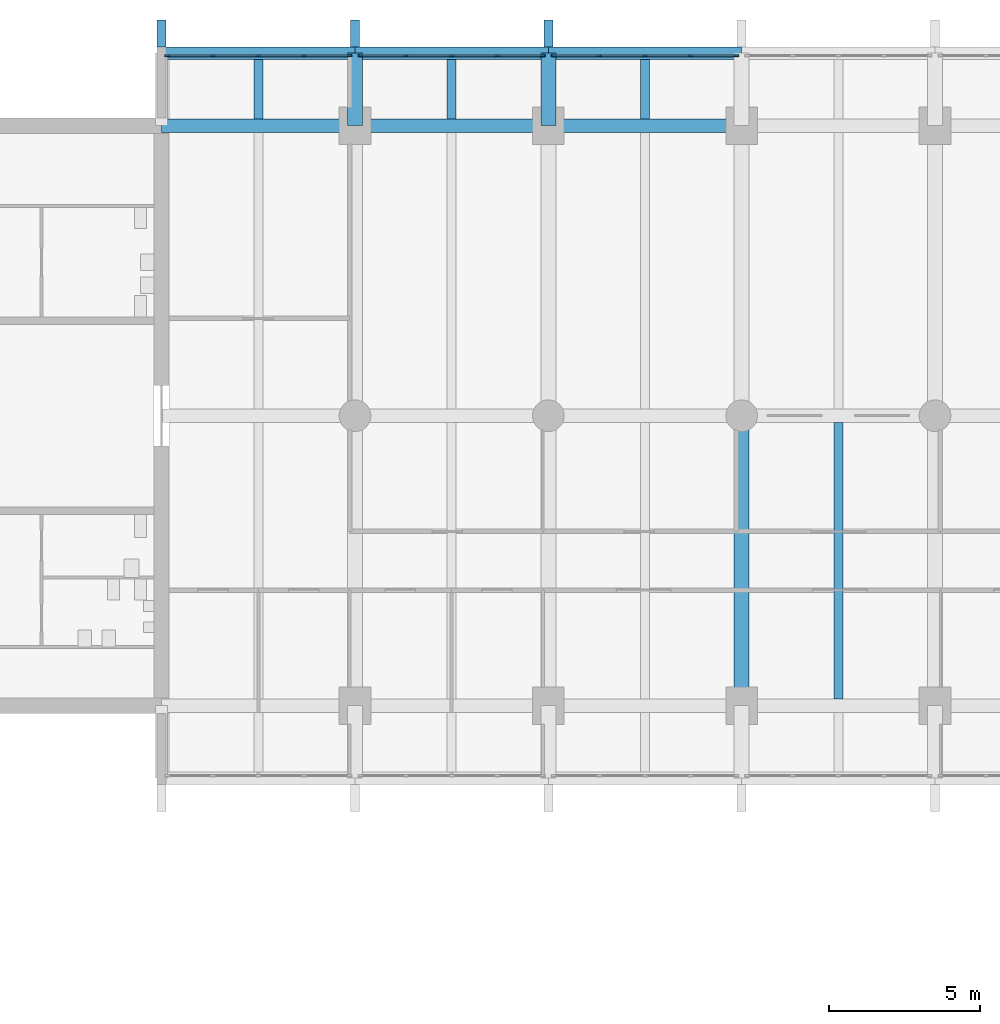
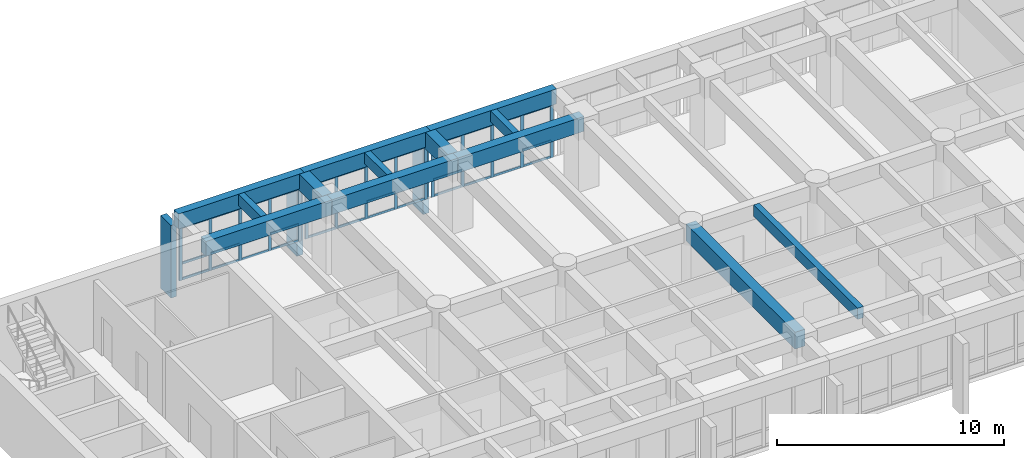
# One storey, part 5 of 19: 54 members, 13 beams, 3 elements without a shape of their own.
"""IFC4 building model written with IfcOpenShell, lengths in metres."""

from ifc_helpers import new_model, si_unit, direction, frame, origin, origin_2d, place, context, subcontext, project, spatial, rectangle, extrude, material, layer, layer_set, material_profile, profile_set, type_object, element, aggregate, save


model = new_model("IFC4")

# Units and contexts
model_context = context("Model", 3, precision=1e-05, world=origin(), true_north=direction((0.0, 1.0)))
body_context = subcontext(model_context, "Body", "Model", "MODEL_VIEW")
ifc_project = project(units=[si_unit("LENGTHUNIT", "METRE"), si_unit("AREAUNIT", "SQUARE_METRE"), si_unit("VOLUMEUNIT", "CUBIC_METRE"), si_unit("PLANEANGLEUNIT", "RADIAN"), si_unit("MASSUNIT", "GRAM", prefix="KILO")], contexts=[model_context])

# Site, building, storey
site_placement = place(None, origin())
site = spatial("IfcSite", under=ifc_project, at=site_placement, CompositionType="ELEMENT")
building_placement = place(site_placement, origin())
building = spatial("IfcBuilding", under=site, at=building_placement, Name="Fogon Plaza Fire Station and Headquarters Tower", CompositionType="ELEMENT")
storey_placement = place(building_placement, frame((0.0, 0.0, 24.89990234375)))
storey = spatial("IfcBuildingStorey", under=building, at=storey_placement, Name="L06", CompositionType="ELEMENT", Elevation=24.89990234375)

# Beams
ifc_material_1 = material(Name="Concrete C40", Category="concrete")
ifc_material_profile_1 = material_profile(ifc_material_1, rectangle(XDim=0.39990234375, YDim=0.800048828125, at=origin_2d()), Name="RC 400x800")
ifc_profile_set_1 = profile_set([ifc_material_profile_1], Name="Concrete C40")
beam_type_1 = type_object("IfcBeamType", Name="BEAM RC 400x800", PredefinedType="BEAM", material=ifc_profile_set_1)
for number, where, z_axis, x_axis, name in (
    (1, (25.60009765625, 55.199951171875, 3.280029296875), (1.0, 0.0, 0.0), (0.0, 1.0, 0.0), "beam-L06-045"),
    (2, (32.0, 55.199951171875, 3.280029296875), (1.0, 0.0, 0.0), (0.0, 1.0, 0.0), "beam-L06-046"),
):
    element("IfcBeam", number, at=place(storey_placement, frame(where, z_axis=z_axis, x_axis=x_axis)), inside=storey, type_object=beam_type_1, Name=name, PredefinedType="BEAM", context=body_context, shape_type="SweptSolid", body=[
        extrude(rectangle(XDim=0.39990234375, YDim=0.800048828125, at=origin_2d()), origin(), (0.0, 0.0, 1.0), 6.39990234375),
    ])
beam_1_placement = place(storey_placement, frame((38.39990234375, 55.199951171875, 3.280029296875), z_axis=(1.0, 0.0, 0.0), x_axis=(0.0, 1.0, 0.0)))
element("IfcBeam", 3, at=beam_1_placement, inside=storey, type_object=beam_type_1, Name="beam-L06-047", PredefinedType="BEAM", context=body_context, shape_type="SweptSolid", body=[
    extrude(rectangle(XDim=0.39990234375, YDim=0.800048828125, at=origin_2d()), origin(), (0.0, 0.0, 1.0), 6.400146484375),
])
ifc_material_2 = material(Name="Concrete C40", Category="concrete")
ifc_material_profile_2 = material_profile(ifc_material_2, rectangle(XDim=0.449951171875, YDim=0.800048828125, at=origin_2d()), Name="RC 450x800")
ifc_profile_set_2 = profile_set([ifc_material_profile_2], Name="Concrete C40")
beam_type_2 = type_object("IfcBeamType", Name="BEAM RC 450x800", PredefinedType="BEAM", material=ifc_profile_set_2)
for number, where, z_axis, x_axis, name in (
    (4, (25.60009765625, 52.800048828125, 3.280029296875), (1.0, 0.0, 0.0), (0.0, 1.0, 0.0), "beam-L06-033"),
    (5, (32.0, 52.800048828125, 3.280029296875), (1.0, 0.0, 0.0), (0.0, 1.0, 0.0), "beam-L06-034"),
):
    element("IfcBeam", number, at=place(storey_placement, frame(where, z_axis=z_axis, x_axis=x_axis)), inside=storey, type_object=beam_type_2, Name=name, PredefinedType="BEAM", context=body_context, shape_type="SweptSolid", body=[
        extrude(rectangle(XDim=0.449951171875, YDim=0.800048828125, at=origin_2d()), origin(), (0.0, 0.0, 1.0), 6.39990234375),
    ])
beam_2_placement = place(storey_placement, frame((38.39990234375, 52.800048828125, 3.280029296875), z_axis=(1.0, 0.0, 0.0), x_axis=(0.0, 1.0, 0.0)))
element("IfcBeam", 6, at=beam_2_placement, inside=storey, type_object=beam_type_2, Name="beam-L06-035", PredefinedType="BEAM", context=body_context, shape_type="SweptSolid", body=[
    extrude(rectangle(XDim=0.449951171875, YDim=0.800048828125, at=origin_2d()), origin(), (0.0, 0.0, 1.0), 6.400146484375),
])
ifc_material_3 = material(Name="Concrete C40", Category="concrete")
ifc_material_profile_3 = material_profile(ifc_material_3, rectangle(XDim=0.5, YDim=0.89990234375, at=origin_2d()), Name="RC 500x900")
ifc_profile_set_3 = profile_set([ifc_material_profile_3], Name="Concrete C40")
beam_type_3 = type_object("IfcBeamType", Name="BEAM RC 500x900 SPAN 0.0 TO 3.0 M", PredefinedType="BEAM", material=ifc_profile_set_3)
for number, where, z_axis, x_axis, name in (
    (7, (32.0, 52.800048828125, 3.22998046875), (0.0, 1.0, 0.0), (-1.0, 0.0, 0.0), "beam-L06-004"),
    (8, (38.39990234375, 52.800048828125, 3.22998046875), (0.0, 1.0, 0.0), (-1.0, 0.0, 0.0), "beam-L06-008"),
):
    element("IfcBeam", number, at=place(storey_placement, frame(where, z_axis=z_axis, x_axis=x_axis)), inside=storey, type_object=beam_type_3, Name=name, PredefinedType="BEAM", context=body_context, shape_type="SweptSolid", body=[
        extrude(rectangle(XDim=0.5, YDim=0.89990234375, at=origin_2d()), origin(), (0.0, 0.0, 1.0), 2.39990234375),
    ])
ifc_material_4 = material(Name="Concrete C40", Category="concrete")
ifc_material_profile_4 = material_profile(ifc_material_4, rectangle(XDim=0.5, YDim=0.89990234375, at=origin_2d()), Name="RC 500x900")
ifc_profile_set_4 = profile_set([ifc_material_profile_4], Name="Concrete C40")
beam_type_4 = type_object("IfcBeamType", Name="BEAM RC 500x900 SPAN 7.7 TO 12.3 M", PredefinedType="BEAM", material=ifc_profile_set_4)
beam_3_placement = place(storey_placement, frame((44.800048828125, 33.60009765625, 3.22998046875), z_axis=(0.0, 1.0, 0.0), x_axis=(-1.0, 0.0, 0.0)))
element("IfcBeam", 9, at=beam_3_placement, inside=storey, type_object=beam_type_4, Name="beam-L06-010", PredefinedType="BEAM", context=body_context, shape_type="SweptSolid", body=[
    extrude(rectangle(XDim=0.5, YDim=0.89990234375, at=origin_2d()), origin(), (0.0, 0.0, 1.0), 9.599853515625),
])

# Curtain wall, members
ifc_material_5 = material(Name="Aluminium and glass", Category="aluminium")
ifc_layer = layer(ifc_material_5, 0.14990234375)
ifc_layer_set = layer_set([ifc_layer], Name="Aluminium and glass")
curtain_wall_type = type_object("IfcCurtainWallType", Name="Unitised Curtain Wall Run 6100x2880", PredefinedType="NOTDEFINED", material=ifc_layer_set)
curtain_wall_1_placement = place(storey_placement, origin())
curtain_wall_1 = element("IfcCurtainWall", 10, at=curtain_wall_1_placement, inside=storey, type_object=curtain_wall_type, Name="CW-6100x2880 N1 L06", PredefinedType="NOTDEFINED")
ifc_material_6 = material(Name="Aluminium", Category="aluminium")
ifc_material_profile_5 = material_profile(ifc_material_6, rectangle(XDim=0.06005859375, YDim=0.159912109375, at=origin_2d()), Name="Curtain Wall Mullion 60x160")
ifc_profile_set_5 = profile_set([ifc_material_profile_5], Name="Aluminium")
member_type_1 = type_object("IfcMemberType", Name="Curtain Wall Mullion 60x160", PredefinedType="MULLION", material=ifc_profile_set_5)
member_1_placement = place(storey_placement, frame((25.780029296875, 55.1201171875, 0.0), z_axis=(0.0, 0.0, 1.0), x_axis=(0.0, 1.0, 0.0)))
member_1 = element("IfcMember", 11, at=member_1_placement, type_object=member_type_1, Name="CW-6100x2880 mullion 1", PredefinedType="MULLION", context=body_context, shape_type="SweptSolid", body=[
    extrude(rectangle(XDim=0.06005859375, YDim=0.159912109375, at=origin_2d()), origin(), (0.0, 0.0, 1.0), 2.880126953125),
])
member_2_placement = place(storey_placement, frame((27.2900390625, 55.1201171875, 0.0), z_axis=(0.0, 0.0, 1.0), x_axis=(0.0, 1.0, 0.0)))
member_2 = element("IfcMember", 12, at=member_2_placement, type_object=member_type_1, Name="CW-6100x2880 mullion 2", PredefinedType="MULLION", context=body_context, shape_type="SweptSolid", body=[
    extrude(rectangle(XDim=0.06005859375, YDim=0.159912109375, at=origin_2d()), origin(), (0.0, 0.0, 1.0), 2.880126953125),
])
member_3_placement = place(storey_placement, frame((28.800048828125, 55.1201171875, 0.0), z_axis=(0.0, 0.0, 1.0), x_axis=(0.0, 1.0, 0.0)))
member_3 = element("IfcMember", 13, at=member_3_placement, type_object=member_type_1, Name="CW-6100x2880 mullion 3", PredefinedType="MULLION", context=body_context, shape_type="SweptSolid", body=[
    extrude(rectangle(XDim=0.06005859375, YDim=0.159912109375, at=origin_2d()), origin(), (0.0, 0.0, 1.0), 2.880126953125),
])
member_4_placement = place(storey_placement, frame((30.31005859375, 55.1201171875, 0.0), z_axis=(0.0, 0.0, 1.0), x_axis=(0.0, 1.0, 0.0)))
member_4 = element("IfcMember", 14, at=member_4_placement, type_object=member_type_1, Name="CW-6100x2880 mullion 4", PredefinedType="MULLION", context=body_context, shape_type="SweptSolid", body=[
    extrude(rectangle(XDim=0.06005859375, YDim=0.159912109375, at=origin_2d()), origin(), (0.0, 0.0, 1.0), 2.880126953125),
])
member_5_placement = place(storey_placement, frame((31.820068359375, 55.1201171875, 0.0), z_axis=(0.0, 0.0, 1.0), x_axis=(0.0, 1.0, 0.0)))
member_5 = element("IfcMember", 15, at=member_5_placement, type_object=member_type_1, Name="CW-6100x2880 mullion 5", PredefinedType="MULLION", context=body_context, shape_type="SweptSolid", body=[
    extrude(rectangle(XDim=0.06005859375, YDim=0.159912109375, at=origin_2d()), origin(), (0.0, 0.0, 1.0), 2.880126953125),
])

curtain_wall_2_placement = place(storey_placement, origin())
curtain_wall_2 = element("IfcCurtainWall", 16, at=curtain_wall_2_placement, inside=storey, type_object=curtain_wall_type, Name="CW-6100x2880 N2 L06", PredefinedType="NOTDEFINED")
member_6_placement = place(storey_placement, frame((32.179931640625, 55.1201171875, 0.0), z_axis=(0.0, 0.0, 1.0), x_axis=(0.0, 1.0, 0.0)))
member_6 = element("IfcMember", 17, at=member_6_placement, type_object=member_type_1, Name="CW-6100x2880 mullion 1", PredefinedType="MULLION", context=body_context, shape_type="SweptSolid", body=[
    extrude(rectangle(XDim=0.06005859375, YDim=0.159912109375, at=origin_2d()), origin(), (0.0, 0.0, 1.0), 2.880126953125),
])
member_7_placement = place(storey_placement, frame((33.68994140625, 55.1201171875, 0.0), z_axis=(0.0, 0.0, 1.0), x_axis=(0.0, 1.0, 0.0)))
member_7 = element("IfcMember", 18, at=member_7_placement, type_object=member_type_1, Name="CW-6100x2880 mullion 2", PredefinedType="MULLION", context=body_context, shape_type="SweptSolid", body=[
    extrude(rectangle(XDim=0.06005859375, YDim=0.159912109375, at=origin_2d()), origin(), (0.0, 0.0, 1.0), 2.880126953125),
])
member_8_placement = place(storey_placement, frame((35.199951171875, 55.1201171875, 0.0), z_axis=(0.0, 0.0, 1.0), x_axis=(0.0, 1.0, 0.0)))
member_8 = element("IfcMember", 19, at=member_8_placement, type_object=member_type_1, Name="CW-6100x2880 mullion 3", PredefinedType="MULLION", context=body_context, shape_type="SweptSolid", body=[
    extrude(rectangle(XDim=0.06005859375, YDim=0.159912109375, at=origin_2d()), origin(), (0.0, 0.0, 1.0), 2.880126953125),
])
member_9_placement = place(storey_placement, frame((36.7099609375, 55.1201171875, 0.0), z_axis=(0.0, 0.0, 1.0), x_axis=(0.0, 1.0, 0.0)))
member_9 = element("IfcMember", 20, at=member_9_placement, type_object=member_type_1, Name="CW-6100x2880 mullion 4", PredefinedType="MULLION", context=body_context, shape_type="SweptSolid", body=[
    extrude(rectangle(XDim=0.06005859375, YDim=0.159912109375, at=origin_2d()), origin(), (0.0, 0.0, 1.0), 2.880126953125),
])
member_10_placement = place(storey_placement, frame((38.219970703125, 55.1201171875, 0.0), z_axis=(0.0, 0.0, 1.0), x_axis=(0.0, 1.0, 0.0)))
member_10 = element("IfcMember", 21, at=member_10_placement, type_object=member_type_1, Name="CW-6100x2880 mullion 5", PredefinedType="MULLION", context=body_context, shape_type="SweptSolid", body=[
    extrude(rectangle(XDim=0.06005859375, YDim=0.159912109375, at=origin_2d()), origin(), (0.0, 0.0, 1.0), 2.880126953125),
])

curtain_wall_3_placement = place(storey_placement, origin())
curtain_wall_3 = element("IfcCurtainWall", 22, at=curtain_wall_3_placement, inside=storey, type_object=curtain_wall_type, Name="CW-6100x2880 N3 L06", PredefinedType="NOTDEFINED")
member_11_placement = place(storey_placement, frame((38.580078125, 55.1201171875, 0.0), z_axis=(0.0, 0.0, 1.0), x_axis=(0.0, 1.0, 0.0)))
member_11 = element("IfcMember", 23, at=member_11_placement, type_object=member_type_1, Name="CW-6100x2880 mullion 1", PredefinedType="MULLION", context=body_context, shape_type="SweptSolid", body=[
    extrude(rectangle(XDim=0.06005859375, YDim=0.159912109375, at=origin_2d()), origin(), (0.0, 0.0, 1.0), 2.880126953125),
])
member_12_placement = place(storey_placement, frame((40.090087890625, 55.1201171875, 0.0), z_axis=(0.0, 0.0, 1.0), x_axis=(0.0, 1.0, 0.0)))
member_12 = element("IfcMember", 24, at=member_12_placement, type_object=member_type_1, Name="CW-6100x2880 mullion 2", PredefinedType="MULLION", context=body_context, shape_type="SweptSolid", body=[
    extrude(rectangle(XDim=0.06005859375, YDim=0.159912109375, at=origin_2d()), origin(), (0.0, 0.0, 1.0), 2.880126953125),
])
member_13_placement = place(storey_placement, frame((41.60009765625, 55.1201171875, 0.0), z_axis=(0.0, 0.0, 1.0), x_axis=(0.0, 1.0, 0.0)))
member_13 = element("IfcMember", 25, at=member_13_placement, type_object=member_type_1, Name="CW-6100x2880 mullion 3", PredefinedType="MULLION", context=body_context, shape_type="SweptSolid", body=[
    extrude(rectangle(XDim=0.06005859375, YDim=0.159912109375, at=origin_2d()), origin(), (0.0, 0.0, 1.0), 2.880126953125),
])
member_14_placement = place(storey_placement, frame((43.110107421875, 55.1201171875, 0.0), z_axis=(0.0, 0.0, 1.0), x_axis=(0.0, 1.0, 0.0)))
member_14 = element("IfcMember", 26, at=member_14_placement, type_object=member_type_1, Name="CW-6100x2880 mullion 4", PredefinedType="MULLION", context=body_context, shape_type="SweptSolid", body=[
    extrude(rectangle(XDim=0.06005859375, YDim=0.159912109375, at=origin_2d()), origin(), (0.0, 0.0, 1.0), 2.880126953125),
])
member_15_placement = place(storey_placement, frame((44.6201171875, 55.1201171875, 0.0), z_axis=(0.0, 0.0, 1.0), x_axis=(0.0, 1.0, 0.0)))
member_15 = element("IfcMember", 27, at=member_15_placement, type_object=member_type_1, Name="CW-6100x2880 mullion 5", PredefinedType="MULLION", context=body_context, shape_type="SweptSolid", body=[
    extrude(rectangle(XDim=0.06005859375, YDim=0.159912109375, at=origin_2d()), origin(), (0.0, 0.0, 1.0), 2.880126953125),
])

# Member
ifc_material_7 = material(Name="Aluminium", Category="aluminium")
ifc_material_profile_6 = material_profile(ifc_material_7, rectangle(XDim=0.06005859375, YDim=0.1201171875, at=origin_2d()), Name="Curtain Wall Transom 60x120")
ifc_profile_set_6 = profile_set([ifc_material_profile_6], Name="Aluminium")
member_type_2 = type_object("IfcMemberType", Name="Curtain Wall Transom 60x120", PredefinedType="USERDEFINED", material=ifc_profile_set_6)
member_16_placement = place(storey_placement, frame((25.81005859375, 55.1201171875, 0.06005859375), z_axis=(1.0, 0.0, 0.0), x_axis=(0.0, 1.0, 0.0)))
member_16 = element("IfcMember", 28, at=member_16_placement, type_object=member_type_2, Name="CW-6100x2880 transom 1.1", ObjectType="TRANSOM", PredefinedType="USERDEFINED", context=body_context, shape_type="SweptSolid", body=[
    extrude(rectangle(XDim=0.06005859375, YDim=0.1201171875, at=origin_2d()), origin(), (0.0, 0.0, 1.0), 1.449951171875),
])

member_17_placement = place(storey_placement, frame((25.81005859375, 55.1201171875, 0.900146484375), z_axis=(1.0, 0.0, 0.0), x_axis=(0.0, 1.0, 0.0)))
member_17 = element("IfcMember", 29, at=member_17_placement, type_object=member_type_2, Name="CW-6100x2880 transom 1.2", ObjectType="TRANSOM", PredefinedType="USERDEFINED", context=body_context, shape_type="SweptSolid", body=[
    extrude(rectangle(XDim=0.06005859375, YDim=0.1201171875, at=origin_2d()), origin(), (0.0, 0.0, 1.0), 1.449951171875),
])

member_18_placement = place(storey_placement, frame((25.81005859375, 55.1201171875, 2.820068359375), z_axis=(1.0, 0.0, 0.0), x_axis=(0.0, 1.0, 0.0)))
member_18 = element("IfcMember", 30, at=member_18_placement, type_object=member_type_2, Name="CW-6100x2880 transom 1.3", ObjectType="TRANSOM", PredefinedType="USERDEFINED", context=body_context, shape_type="SweptSolid", body=[
    extrude(rectangle(XDim=0.06005859375, YDim=0.1201171875, at=origin_2d()), origin(), (0.0, 0.0, 1.0), 1.449951171875),
])

member_19_placement = place(storey_placement, frame((27.320068359375, 55.1201171875, 0.06005859375), z_axis=(1.0, 0.0, 0.0), x_axis=(0.0, 1.0, 0.0)))
member_19 = element("IfcMember", 31, at=member_19_placement, type_object=member_type_2, Name="CW-6100x2880 transom 2.1", ObjectType="TRANSOM", PredefinedType="USERDEFINED", context=body_context, shape_type="SweptSolid", body=[
    extrude(rectangle(XDim=0.06005859375, YDim=0.1201171875, at=origin_2d()), origin(), (0.0, 0.0, 1.0), 1.449951171875),
])

member_20_placement = place(storey_placement, frame((27.320068359375, 55.1201171875, 0.900146484375), z_axis=(1.0, 0.0, 0.0), x_axis=(0.0, 1.0, 0.0)))
member_20 = element("IfcMember", 32, at=member_20_placement, type_object=member_type_2, Name="CW-6100x2880 transom 2.2", ObjectType="TRANSOM", PredefinedType="USERDEFINED", context=body_context, shape_type="SweptSolid", body=[
    extrude(rectangle(XDim=0.06005859375, YDim=0.1201171875, at=origin_2d()), origin(), (0.0, 0.0, 1.0), 1.449951171875),
])

member_21_placement = place(storey_placement, frame((27.320068359375, 55.1201171875, 2.820068359375), z_axis=(1.0, 0.0, 0.0), x_axis=(0.0, 1.0, 0.0)))
member_21 = element("IfcMember", 33, at=member_21_placement, type_object=member_type_2, Name="CW-6100x2880 transom 2.3", ObjectType="TRANSOM", PredefinedType="USERDEFINED", context=body_context, shape_type="SweptSolid", body=[
    extrude(rectangle(XDim=0.06005859375, YDim=0.1201171875, at=origin_2d()), origin(), (0.0, 0.0, 1.0), 1.449951171875),
])

member_22_placement = place(storey_placement, frame((28.830078125, 55.1201171875, 0.06005859375), z_axis=(1.0, 0.0, 0.0), x_axis=(0.0, 1.0, 0.0)))
member_22 = element("IfcMember", 34, at=member_22_placement, type_object=member_type_2, Name="CW-6100x2880 transom 3.1", ObjectType="TRANSOM", PredefinedType="USERDEFINED", context=body_context, shape_type="SweptSolid", body=[
    extrude(rectangle(XDim=0.06005859375, YDim=0.1201171875, at=origin_2d()), origin(), (0.0, 0.0, 1.0), 1.449951171875),
])

member_23_placement = place(storey_placement, frame((28.830078125, 55.1201171875, 0.900146484375), z_axis=(1.0, 0.0, 0.0), x_axis=(0.0, 1.0, 0.0)))
member_23 = element("IfcMember", 35, at=member_23_placement, type_object=member_type_2, Name="CW-6100x2880 transom 3.2", ObjectType="TRANSOM", PredefinedType="USERDEFINED", context=body_context, shape_type="SweptSolid", body=[
    extrude(rectangle(XDim=0.06005859375, YDim=0.1201171875, at=origin_2d()), origin(), (0.0, 0.0, 1.0), 1.449951171875),
])

member_24_placement = place(storey_placement, frame((28.830078125, 55.1201171875, 2.820068359375), z_axis=(1.0, 0.0, 0.0), x_axis=(0.0, 1.0, 0.0)))
member_24 = element("IfcMember", 36, at=member_24_placement, type_object=member_type_2, Name="CW-6100x2880 transom 3.3", ObjectType="TRANSOM", PredefinedType="USERDEFINED", context=body_context, shape_type="SweptSolid", body=[
    extrude(rectangle(XDim=0.06005859375, YDim=0.1201171875, at=origin_2d()), origin(), (0.0, 0.0, 1.0), 1.449951171875),
])

member_25_placement = place(storey_placement, frame((30.340087890625, 55.1201171875, 0.06005859375), z_axis=(1.0, 0.0, 0.0), x_axis=(0.0, 1.0, 0.0)))
member_25 = element("IfcMember", 37, at=member_25_placement, type_object=member_type_2, Name="CW-6100x2880 transom 4.1", ObjectType="TRANSOM", PredefinedType="USERDEFINED", context=body_context, shape_type="SweptSolid", body=[
    extrude(rectangle(XDim=0.06005859375, YDim=0.1201171875, at=origin_2d()), origin(), (0.0, 0.0, 1.0), 1.449951171875),
])

member_26_placement = place(storey_placement, frame((30.340087890625, 55.1201171875, 0.900146484375), z_axis=(1.0, 0.0, 0.0), x_axis=(0.0, 1.0, 0.0)))
member_26 = element("IfcMember", 38, at=member_26_placement, type_object=member_type_2, Name="CW-6100x2880 transom 4.2", ObjectType="TRANSOM", PredefinedType="USERDEFINED", context=body_context, shape_type="SweptSolid", body=[
    extrude(rectangle(XDim=0.06005859375, YDim=0.1201171875, at=origin_2d()), origin(), (0.0, 0.0, 1.0), 1.449951171875),
])

member_27_placement = place(storey_placement, frame((30.340087890625, 55.1201171875, 2.820068359375), z_axis=(1.0, 0.0, 0.0), x_axis=(0.0, 1.0, 0.0)))
member_27 = element("IfcMember", 39, at=member_27_placement, type_object=member_type_2, Name="CW-6100x2880 transom 4.3", ObjectType="TRANSOM", PredefinedType="USERDEFINED", context=body_context, shape_type="SweptSolid", body=[
    extrude(rectangle(XDim=0.06005859375, YDim=0.1201171875, at=origin_2d()), origin(), (0.0, 0.0, 1.0), 1.449951171875),
])

aggregate(curtain_wall_1, [member_1, member_2, member_3, member_4, member_5, member_16, member_17, member_18, member_19, member_20, member_21, member_22, member_23, member_24, member_25, member_26, member_27])

member_28_placement = place(storey_placement, frame((32.2099609375, 55.1201171875, 0.06005859375), z_axis=(1.0, 0.0, 0.0), x_axis=(0.0, 1.0, 0.0)))
member_28 = element("IfcMember", 40, at=member_28_placement, type_object=member_type_2, Name="CW-6100x2880 transom 1.1", ObjectType="TRANSOM", PredefinedType="USERDEFINED", context=body_context, shape_type="SweptSolid", body=[
    extrude(rectangle(XDim=0.06005859375, YDim=0.1201171875, at=origin_2d()), origin(), (0.0, 0.0, 1.0), 1.449951171875),
])

member_29_placement = place(storey_placement, frame((32.2099609375, 55.1201171875, 0.900146484375), z_axis=(1.0, 0.0, 0.0), x_axis=(0.0, 1.0, 0.0)))
member_29 = element("IfcMember", 41, at=member_29_placement, type_object=member_type_2, Name="CW-6100x2880 transom 1.2", ObjectType="TRANSOM", PredefinedType="USERDEFINED", context=body_context, shape_type="SweptSolid", body=[
    extrude(rectangle(XDim=0.06005859375, YDim=0.1201171875, at=origin_2d()), origin(), (0.0, 0.0, 1.0), 1.449951171875),
])

member_30_placement = place(storey_placement, frame((32.2099609375, 55.1201171875, 2.820068359375), z_axis=(1.0, 0.0, 0.0), x_axis=(0.0, 1.0, 0.0)))
member_30 = element("IfcMember", 42, at=member_30_placement, type_object=member_type_2, Name="CW-6100x2880 transom 1.3", ObjectType="TRANSOM", PredefinedType="USERDEFINED", context=body_context, shape_type="SweptSolid", body=[
    extrude(rectangle(XDim=0.06005859375, YDim=0.1201171875, at=origin_2d()), origin(), (0.0, 0.0, 1.0), 1.449951171875),
])

member_31_placement = place(storey_placement, frame((33.719970703125, 55.1201171875, 0.06005859375), z_axis=(1.0, 0.0, 0.0), x_axis=(0.0, 1.0, 0.0)))
member_31 = element("IfcMember", 43, at=member_31_placement, type_object=member_type_2, Name="CW-6100x2880 transom 2.1", ObjectType="TRANSOM", PredefinedType="USERDEFINED", context=body_context, shape_type="SweptSolid", body=[
    extrude(rectangle(XDim=0.06005859375, YDim=0.1201171875, at=origin_2d()), origin(), (0.0, 0.0, 1.0), 1.449951171875),
])

member_32_placement = place(storey_placement, frame((33.719970703125, 55.1201171875, 0.900146484375), z_axis=(1.0, 0.0, 0.0), x_axis=(0.0, 1.0, 0.0)))
member_32 = element("IfcMember", 44, at=member_32_placement, type_object=member_type_2, Name="CW-6100x2880 transom 2.2", ObjectType="TRANSOM", PredefinedType="USERDEFINED", context=body_context, shape_type="SweptSolid", body=[
    extrude(rectangle(XDim=0.06005859375, YDim=0.1201171875, at=origin_2d()), origin(), (0.0, 0.0, 1.0), 1.449951171875),
])

member_33_placement = place(storey_placement, frame((33.719970703125, 55.1201171875, 2.820068359375), z_axis=(1.0, 0.0, 0.0), x_axis=(0.0, 1.0, 0.0)))
member_33 = element("IfcMember", 45, at=member_33_placement, type_object=member_type_2, Name="CW-6100x2880 transom 2.3", ObjectType="TRANSOM", PredefinedType="USERDEFINED", context=body_context, shape_type="SweptSolid", body=[
    extrude(rectangle(XDim=0.06005859375, YDim=0.1201171875, at=origin_2d()), origin(), (0.0, 0.0, 1.0), 1.449951171875),
])

member_34_placement = place(storey_placement, frame((35.22998046875, 55.1201171875, 0.06005859375), z_axis=(1.0, 0.0, 0.0), x_axis=(0.0, 1.0, 0.0)))
member_34 = element("IfcMember", 46, at=member_34_placement, type_object=member_type_2, Name="CW-6100x2880 transom 3.1", ObjectType="TRANSOM", PredefinedType="USERDEFINED", context=body_context, shape_type="SweptSolid", body=[
    extrude(rectangle(XDim=0.06005859375, YDim=0.1201171875, at=origin_2d()), origin(), (0.0, 0.0, 1.0), 1.449951171875),
])

member_35_placement = place(storey_placement, frame((35.22998046875, 55.1201171875, 0.900146484375), z_axis=(1.0, 0.0, 0.0), x_axis=(0.0, 1.0, 0.0)))
member_35 = element("IfcMember", 47, at=member_35_placement, type_object=member_type_2, Name="CW-6100x2880 transom 3.2", ObjectType="TRANSOM", PredefinedType="USERDEFINED", context=body_context, shape_type="SweptSolid", body=[
    extrude(rectangle(XDim=0.06005859375, YDim=0.1201171875, at=origin_2d()), origin(), (0.0, 0.0, 1.0), 1.449951171875),
])

member_36_placement = place(storey_placement, frame((35.22998046875, 55.1201171875, 2.820068359375), z_axis=(1.0, 0.0, 0.0), x_axis=(0.0, 1.0, 0.0)))
member_36 = element("IfcMember", 48, at=member_36_placement, type_object=member_type_2, Name="CW-6100x2880 transom 3.3", ObjectType="TRANSOM", PredefinedType="USERDEFINED", context=body_context, shape_type="SweptSolid", body=[
    extrude(rectangle(XDim=0.06005859375, YDim=0.1201171875, at=origin_2d()), origin(), (0.0, 0.0, 1.0), 1.449951171875),
])

member_37_placement = place(storey_placement, frame((36.739990234375, 55.1201171875, 0.06005859375), z_axis=(1.0, 0.0, 0.0), x_axis=(0.0, 1.0, 0.0)))
member_37 = element("IfcMember", 49, at=member_37_placement, type_object=member_type_2, Name="CW-6100x2880 transom 4.1", ObjectType="TRANSOM", PredefinedType="USERDEFINED", context=body_context, shape_type="SweptSolid", body=[
    extrude(rectangle(XDim=0.06005859375, YDim=0.1201171875, at=origin_2d()), origin(), (0.0, 0.0, 1.0), 1.449951171875),
])

member_38_placement = place(storey_placement, frame((36.739990234375, 55.1201171875, 0.900146484375), z_axis=(1.0, 0.0, 0.0), x_axis=(0.0, 1.0, 0.0)))
member_38 = element("IfcMember", 50, at=member_38_placement, type_object=member_type_2, Name="CW-6100x2880 transom 4.2", ObjectType="TRANSOM", PredefinedType="USERDEFINED", context=body_context, shape_type="SweptSolid", body=[
    extrude(rectangle(XDim=0.06005859375, YDim=0.1201171875, at=origin_2d()), origin(), (0.0, 0.0, 1.0), 1.449951171875),
])

member_39_placement = place(storey_placement, frame((36.739990234375, 55.1201171875, 2.820068359375), z_axis=(1.0, 0.0, 0.0), x_axis=(0.0, 1.0, 0.0)))
member_39 = element("IfcMember", 51, at=member_39_placement, type_object=member_type_2, Name="CW-6100x2880 transom 4.3", ObjectType="TRANSOM", PredefinedType="USERDEFINED", context=body_context, shape_type="SweptSolid", body=[
    extrude(rectangle(XDim=0.06005859375, YDim=0.1201171875, at=origin_2d()), origin(), (0.0, 0.0, 1.0), 1.449951171875),
])

aggregate(curtain_wall_2, [member_6, member_7, member_8, member_9, member_10, member_28, member_29, member_30, member_31, member_32, member_33, member_34, member_35, member_36, member_37, member_38, member_39])

member_40_placement = place(storey_placement, frame((38.610107421875, 55.1201171875, 0.06005859375), z_axis=(1.0, 0.0, 0.0), x_axis=(0.0, 1.0, 0.0)))
member_40 = element("IfcMember", 52, at=member_40_placement, type_object=member_type_2, Name="CW-6100x2880 transom 1.1", ObjectType="TRANSOM", PredefinedType="USERDEFINED", context=body_context, shape_type="SweptSolid", body=[
    extrude(rectangle(XDim=0.06005859375, YDim=0.1201171875, at=origin_2d()), origin(), (0.0, 0.0, 1.0), 1.449951171875),
])

member_41_placement = place(storey_placement, frame((38.610107421875, 55.1201171875, 0.900146484375), z_axis=(1.0, 0.0, 0.0), x_axis=(0.0, 1.0, 0.0)))
member_41 = element("IfcMember", 53, at=member_41_placement, type_object=member_type_2, Name="CW-6100x2880 transom 1.2", ObjectType="TRANSOM", PredefinedType="USERDEFINED", context=body_context, shape_type="SweptSolid", body=[
    extrude(rectangle(XDim=0.06005859375, YDim=0.1201171875, at=origin_2d()), origin(), (0.0, 0.0, 1.0), 1.449951171875),
])

member_42_placement = place(storey_placement, frame((38.610107421875, 55.1201171875, 2.820068359375), z_axis=(1.0, 0.0, 0.0), x_axis=(0.0, 1.0, 0.0)))
member_42 = element("IfcMember", 54, at=member_42_placement, type_object=member_type_2, Name="CW-6100x2880 transom 1.3", ObjectType="TRANSOM", PredefinedType="USERDEFINED", context=body_context, shape_type="SweptSolid", body=[
    extrude(rectangle(XDim=0.06005859375, YDim=0.1201171875, at=origin_2d()), origin(), (0.0, 0.0, 1.0), 1.449951171875),
])

member_43_placement = place(storey_placement, frame((40.1201171875, 55.1201171875, 0.06005859375), z_axis=(1.0, 0.0, 0.0), x_axis=(0.0, 1.0, 0.0)))
member_43 = element("IfcMember", 55, at=member_43_placement, type_object=member_type_2, Name="CW-6100x2880 transom 2.1", ObjectType="TRANSOM", PredefinedType="USERDEFINED", context=body_context, shape_type="SweptSolid", body=[
    extrude(rectangle(XDim=0.06005859375, YDim=0.1201171875, at=origin_2d()), origin(), (0.0, 0.0, 1.0), 1.449951171875),
])

member_44_placement = place(storey_placement, frame((40.1201171875, 55.1201171875, 0.900146484375), z_axis=(1.0, 0.0, 0.0), x_axis=(0.0, 1.0, 0.0)))
member_44 = element("IfcMember", 56, at=member_44_placement, type_object=member_type_2, Name="CW-6100x2880 transom 2.2", ObjectType="TRANSOM", PredefinedType="USERDEFINED", context=body_context, shape_type="SweptSolid", body=[
    extrude(rectangle(XDim=0.06005859375, YDim=0.1201171875, at=origin_2d()), origin(), (0.0, 0.0, 1.0), 1.449951171875),
])

member_45_placement = place(storey_placement, frame((40.1201171875, 55.1201171875, 2.820068359375), z_axis=(1.0, 0.0, 0.0), x_axis=(0.0, 1.0, 0.0)))
member_45 = element("IfcMember", 57, at=member_45_placement, type_object=member_type_2, Name="CW-6100x2880 transom 2.3", ObjectType="TRANSOM", PredefinedType="USERDEFINED", context=body_context, shape_type="SweptSolid", body=[
    extrude(rectangle(XDim=0.06005859375, YDim=0.1201171875, at=origin_2d()), origin(), (0.0, 0.0, 1.0), 1.449951171875),
])

member_46_placement = place(storey_placement, frame((41.6298828125, 55.1201171875, 0.06005859375), z_axis=(1.0, 0.0, 0.0), x_axis=(0.0, 1.0, 0.0)))
member_46 = element("IfcMember", 58, at=member_46_placement, type_object=member_type_2, Name="CW-6100x2880 transom 3.1", ObjectType="TRANSOM", PredefinedType="USERDEFINED", context=body_context, shape_type="SweptSolid", body=[
    extrude(rectangle(XDim=0.06005859375, YDim=0.1201171875, at=origin_2d()), origin(), (0.0, 0.0, 1.0), 1.4501953125),
])

member_47_placement = place(storey_placement, frame((41.6298828125, 55.1201171875, 0.900146484375), z_axis=(1.0, 0.0, 0.0), x_axis=(0.0, 1.0, 0.0)))
member_47 = element("IfcMember", 59, at=member_47_placement, type_object=member_type_2, Name="CW-6100x2880 transom 3.2", ObjectType="TRANSOM", PredefinedType="USERDEFINED", context=body_context, shape_type="SweptSolid", body=[
    extrude(rectangle(XDim=0.06005859375, YDim=0.1201171875, at=origin_2d()), origin(), (0.0, 0.0, 1.0), 1.4501953125),
])

member_48_placement = place(storey_placement, frame((41.6298828125, 55.1201171875, 2.820068359375), z_axis=(1.0, 0.0, 0.0), x_axis=(0.0, 1.0, 0.0)))
member_48 = element("IfcMember", 60, at=member_48_placement, type_object=member_type_2, Name="CW-6100x2880 transom 3.3", ObjectType="TRANSOM", PredefinedType="USERDEFINED", context=body_context, shape_type="SweptSolid", body=[
    extrude(rectangle(XDim=0.06005859375, YDim=0.1201171875, at=origin_2d()), origin(), (0.0, 0.0, 1.0), 1.4501953125),
])

member_49_placement = place(storey_placement, frame((43.139892578125, 55.1201171875, 0.06005859375), z_axis=(1.0, 0.0, 0.0), x_axis=(0.0, 1.0, 0.0)))
member_49 = element("IfcMember", 61, at=member_49_placement, type_object=member_type_2, Name="CW-6100x2880 transom 4.1", ObjectType="TRANSOM", PredefinedType="USERDEFINED", context=body_context, shape_type="SweptSolid", body=[
    extrude(rectangle(XDim=0.06005859375, YDim=0.1201171875, at=origin_2d()), origin(), (0.0, 0.0, 1.0), 1.4501953125),
])

member_50_placement = place(storey_placement, frame((43.139892578125, 55.1201171875, 0.900146484375), z_axis=(1.0, 0.0, 0.0), x_axis=(0.0, 1.0, 0.0)))
member_50 = element("IfcMember", 62, at=member_50_placement, type_object=member_type_2, Name="CW-6100x2880 transom 4.2", ObjectType="TRANSOM", PredefinedType="USERDEFINED", context=body_context, shape_type="SweptSolid", body=[
    extrude(rectangle(XDim=0.06005859375, YDim=0.1201171875, at=origin_2d()), origin(), (0.0, 0.0, 1.0), 1.4501953125),
])

member_51_placement = place(storey_placement, frame((43.139892578125, 55.1201171875, 2.820068359375), z_axis=(1.0, 0.0, 0.0), x_axis=(0.0, 1.0, 0.0)))
member_51 = element("IfcMember", 63, at=member_51_placement, type_object=member_type_2, Name="CW-6100x2880 transom 4.3", ObjectType="TRANSOM", PredefinedType="USERDEFINED", context=body_context, shape_type="SweptSolid", body=[
    extrude(rectangle(XDim=0.06005859375, YDim=0.1201171875, at=origin_2d()), origin(), (0.0, 0.0, 1.0), 1.4501953125),
])

aggregate(curtain_wall_3, [member_11, member_12, member_13, member_14, member_15, member_40, member_41, member_42, member_43, member_44, member_45, member_46, member_47, member_48, member_49, member_50, member_51])

# Beams
ifc_material_8 = material(Name="Concrete C40", Category="concrete")
ifc_material_profile_7 = material_profile(ifc_material_8, rectangle(XDim=0.300048828125, YDim=0.60009765625, at=origin_2d()), Name="RC 300x600")
ifc_profile_set_7 = profile_set([ifc_material_profile_7], Name="Concrete C40")
beam_type_5 = type_object("IfcBeamType", Name="JOIST RC 300x600", PredefinedType="JOIST", material=ifc_profile_set_7)
beam_4_placement = place(storey_placement, frame((48.0, 33.824951171875, 3.380126953125), z_axis=(0.0, 1.0, 0.0), x_axis=(-1.0, 0.0, 0.0)))
element("IfcBeam", 64, at=beam_4_placement, inside=storey, type_object=beam_type_5, Name="beam-L06-068", PredefinedType="JOIST", context=body_context, shape_type="SweptSolid", body=[
    extrude(rectangle(XDim=0.300048828125, YDim=0.60009765625, at=origin_2d()), origin(), (0.0, 0.0, 1.0), 9.150146484375),
])
ifc_material_9 = material(Name="Concrete C40", Category="concrete")
ifc_material_profile_8 = material_profile(ifc_material_9, rectangle(XDim=0.300048828125, YDim=0.60009765625, at=origin_2d()), Name="RC 300x600")
ifc_profile_set_8 = profile_set([ifc_material_profile_8], Name="Concrete C40")
beam_type_6 = type_object("IfcBeamType", Name="JOIST RC 300x600 SPAN 0.0 TO 3.0 M", PredefinedType="JOIST", material=ifc_profile_set_8)
for number, where, z_axis, x_axis, name in (
    (65, (28.800048828125, 53.02490234375, 3.380126953125), (0.0, 1.0, 0.0), (-1.0, 0.0, 0.0), "beam-L06-058"),
    (66, (35.199951171875, 53.02490234375, 3.380126953125), (0.0, 1.0, 0.0), (-1.0, 0.0, 0.0), "beam-L06-062"),
    (67, (41.60009765625, 53.02490234375, 3.380126953125), (0.0, 1.0, 0.0), (-1.0, 0.0, 0.0), "beam-L06-066"),
):
    element("IfcBeam", number, at=place(storey_placement, frame(where, z_axis=z_axis, x_axis=x_axis)), inside=storey, type_object=beam_type_6, Name=name, PredefinedType="JOIST", context=body_context, shape_type="SweptSolid", body=[
        extrude(rectangle(XDim=0.300048828125, YDim=0.60009765625, at=origin_2d()), origin(), (0.0, 0.0, 1.0), 1.97509765625),
    ])

# Members
ifc_material_10 = material(Name="Concrete C40 precast", Category="concrete")
ifc_material_profile_9 = material_profile(ifc_material_10, rectangle(XDim=0.300048828125, YDim=0.89990234375, at=origin_2d()), Name="Precast Concrete Post 300x900")
ifc_profile_set_9 = profile_set([ifc_material_profile_9], Name="Concrete C40 precast")
member_type_3 = type_object("IfcMemberType", Name="Precast Concrete Post 300x900", PredefinedType="POST", material=ifc_profile_set_9)
for number, where, z_axis, x_axis, name in (
    (68, (25.60009765625, 55.85009765625, -1.02001953125), (0.0, 0.0, 1.0), (1.0, 0.0, 0.0), "Precast Post N L06"),
    (69, (32.0, 55.85009765625, -1.02001953125), (0.0, 0.0, 1.0), (1.0, 0.0, 0.0), "Precast Post N L06"),
    (70, (38.39990234375, 55.85009765625, -1.02001953125), (0.0, 0.0, 1.0), (1.0, 0.0, 0.0), "Precast Post N L06"),
):
    element("IfcMember", number, at=place(storey_placement, frame(where, z_axis=z_axis, x_axis=x_axis)), inside=storey, type_object=member_type_3, Name=name, PredefinedType="POST", context=body_context, shape_type="SweptSolid", body=[
        extrude(rectangle(XDim=0.300048828125, YDim=0.89990234375, at=origin_2d()), origin(), (0.0, 0.0, 1.0), 3.900146484375),
    ])

save(model, "model.ifc")
